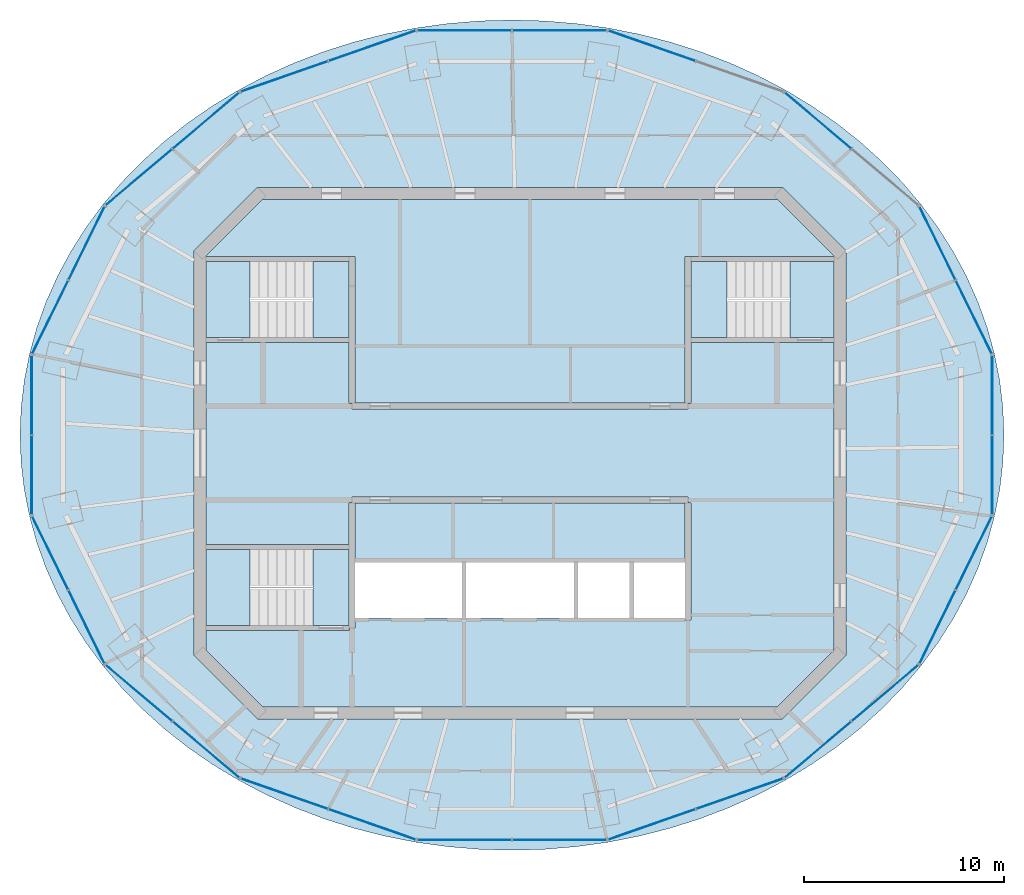
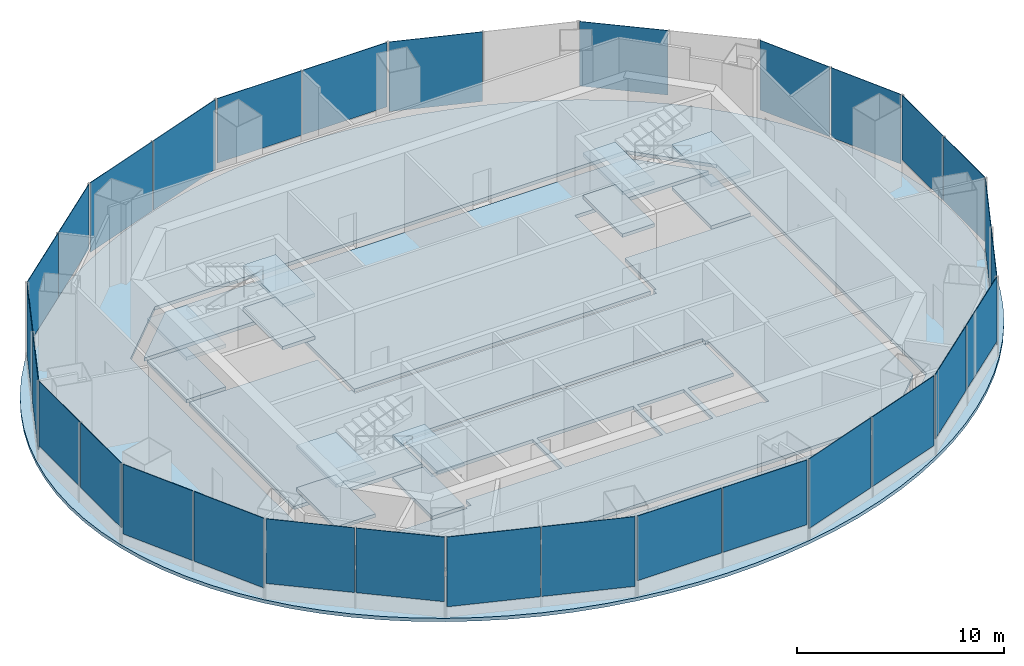
# One storey, part 7 of 11: 30 plates, 15 slabs, 19 elements without a shape of their own.
"""IFC4 building model written with IfcOpenShell, lengths in metres."""

from ifc_helpers import new_model, si_unit, direction, frame, origin, origin_2d, place, context, subcontext, project, spatial, polyline, rectangle, outline, extrude, material, layer, layer_set, type_object, element, aggregate, save


model = new_model("IFC4")

# Units and contexts
model_context = context("Model", 3, precision=1e-05, world=origin(), true_north=direction((0.0, 1.0)))
body_context = subcontext(model_context, "Body", "Model", "MODEL_VIEW")
ifc_project = project(units=[si_unit("LENGTHUNIT", "METRE"), si_unit("AREAUNIT", "SQUARE_METRE"), si_unit("VOLUMEUNIT", "CUBIC_METRE"), si_unit("PLANEANGLEUNIT", "RADIAN"), si_unit("MASSUNIT", "GRAM", prefix="KILO")], contexts=[model_context])

# Site, building, storey
site_placement = place(None, origin())
site = spatial("IfcSite", under=ifc_project, at=site_placement, CompositionType="ELEMENT")
building_placement = place(site_placement, origin())
building = spatial("IfcBuilding", under=site, at=building_placement, Name="Marenthal Gate Tower", CompositionType="ELEMENT")
storey_placement = place(building_placement, frame((0.0, 0.0, 418.550048828125)))
storey = spatial("IfcBuildingStorey", under=building, at=storey_placement, Name="L94", CompositionType="ELEMENT", Elevation=418.550048828125)

# Slabs
ifc_material_1 = material(Name="Concrete 50 MPa", Category="concrete")
ifc_layer_1 = layer(ifc_material_1, 0.199951171875)
ifc_layer_set_1 = layer_set([ifc_layer_1], Name="Core floor slab 200")
slab_type_1 = type_object("IfcSlabType", Name="Core floor slab 200", PredefinedType="FLOOR", material=ifc_layer_set_1)
slab_1_placement = place(storey_placement, frame((0.0, 0.0, -0.199951171875)))
element("IfcSlab", 1, at=slab_1_placement, inside=storey, type_object=slab_type_1, Name="Core floor L94", PredefinedType="FLOOR", context=body_context, shape_type="SweptSolid", body=[
    extrude(outline(polyline([(12.875732421875, -12.699951171875), (-12.875732421875, -12.699951171875), (-15.699951171875, -9.875732421875), (-15.699951171875, -8.875), (-8.550048828125, -8.875), (-8.550048828125, -8.75), (-8.25, -8.75), (-8.25, -8.239990234375), (-5.60009765625, -8.239990234375), (-2.909912109375, -8.239990234375), (-2.909912109375, -5.4599609375), (-5.60009765625, -5.4599609375), (-8.25, -5.4599609375), (-8.25, -2.5), (8.25, -2.5), (8.25, -5.4599609375), (5.7099609375, -5.4599609375), (5.7099609375, -8.239990234375), (8.25, -8.239990234375), (8.25, -8.35009765625), (8.550048828125, -8.35009765625), (8.550048828125, -2.5), (8.39990234375, -2.5), (8.39990234375, -2.199951171875), (-8.39990234375, -2.199951171875), (-8.39990234375, -2.5), (-8.550048828125, -2.5), (-8.550048828125, -4.574951171875), (-15.699951171875, -4.574951171875), (-15.699951171875, 5.52490234375), (-8.550048828125, 5.52490234375), (-8.550048828125, 2.5), (-8.39990234375, 2.5), (-8.39990234375, 2.199951171875), (8.39990234375, 2.199951171875), (8.39990234375, 2.5), (8.550048828125, 2.5), (8.550048828125, 5.52490234375), (15.699951171875, 5.52490234375), (15.699951171875, -9.875732421875), (12.875732421875, -12.699951171875)]), holes=[polyline([(0.0, -8.239990234375), (2.68994140625, -8.239990234375), (2.68994140625, -5.4599609375), (0.0, -5.4599609375), (-2.68994140625, -5.4599609375), (-2.68994140625, -8.239990234375), (0.0, -8.239990234375)]), polyline([(2.909912109375, -5.4599609375), (2.909912109375, -8.239990234375), (5.489990234375, -8.239990234375), (5.489990234375, -5.4599609375), (2.909912109375, -5.4599609375)])]), origin(), (0.0, 0.0, 1.0), 0.199951171875),
])
slab_2_placement = place(storey_placement, frame((0.0, 0.0, -0.199951171875)))
element("IfcSlab", 2, at=slab_2_placement, inside=storey, type_object=slab_type_1, Name="Core floor L94", PredefinedType="FLOOR", context=body_context, shape_type="SweptSolid", body=[
    extrude(outline(polyline([(15.699951171875, 5.77490234375), (13.5, 5.77490234375), (13.5, 9.574951171875), (15.699951171875, 9.574951171875), (15.699951171875, 5.77490234375)])), origin(), (0.0, 0.0, 1.0), 0.199951171875),
])
slab_3_placement = place(storey_placement, frame((0.0, 0.0, -0.199951171875)))
element("IfcSlab", 3, at=slab_3_placement, inside=storey, type_object=slab_type_1, Name="Core floor L94", PredefinedType="FLOOR", context=body_context, shape_type="SweptSolid", body=[
    extrude(outline(polyline([(15.699951171875, 9.824951171875), (8.550048828125, 9.824951171875), (8.25, 9.824951171875), (8.25, 8.35009765625), (8.25, 2.5), (-8.25, 2.5), (-8.25, 8.35009765625), (-8.25, 9.824951171875), (-8.550048828125, 9.824951171875), (-15.699951171875, 9.824951171875), (-15.699951171875, 9.875732421875), (-12.875732421875, 12.699951171875), (12.875732421875, 12.699951171875), (15.699951171875, 9.875732421875), (15.699951171875, 9.824951171875)])), origin(), (0.0, 0.0, 1.0), 0.199951171875),
])
slab_4_placement = place(storey_placement, frame((0.0, 0.0, -0.199951171875)))
element("IfcSlab", 4, at=slab_4_placement, inside=storey, type_object=slab_type_1, Name="Core floor L94", PredefinedType="FLOOR", context=body_context, shape_type="SweptSolid", body=[
    extrude(outline(polyline([(-15.699951171875, 9.574951171875), (-13.5, 9.574951171875), (-13.5, 5.77490234375), (-15.699951171875, 5.77490234375), (-15.699951171875, 9.574951171875)])), origin(), (0.0, 0.0, 1.0), 0.199951171875),
])
slab_5_placement = place(storey_placement, frame((0.0, 0.0, -0.199951171875)))
element("IfcSlab", 5, at=slab_5_placement, inside=storey, type_object=slab_type_1, Name="Core floor L94", PredefinedType="FLOOR", context=body_context, shape_type="SweptSolid", body=[
    extrude(outline(polyline([(-10.35009765625, -8.625), (-10.35009765625, -4.824951171875), (-8.550048828125, -4.824951171875), (-8.550048828125, -8.625), (-10.35009765625, -8.625)])), origin(), (0.0, 0.0, 1.0), 0.199951171875),
])

# Curtain wall, plate
ifc_material_2 = material(Name="Aluminium and glass", Category="aluminium")
curtain_wall_type_1 = type_object("IfcCurtainWallType", Name="Curtain wall typical high", PredefinedType="NOTDEFINED", material=ifc_material_2)
curtain_wall_1_placement = place(storey_placement, origin())
curtain_wall_1 = element("IfcCurtainWall", 6, at=curtain_wall_1_placement, inside=storey, type_object=curtain_wall_type_1, Name="Curtain wall L94 bay 2", PredefinedType="NOTDEFINED")
ifc_material_3 = material(Name="Glass, laminated insulating unit", Category="glass")
ifc_layer_2 = layer(ifc_material_3, 0.031982421875)
ifc_layer_set_2 = layer_set([ifc_layer_2], Name="Glass panel 32 typical high")
plate_type_1 = type_object("IfcPlateType", Name="Glass panel 32 typical high", PredefinedType="CURTAIN_PANEL", material=ifc_layer_set_2)
plate_1_placement = place(storey_placement, frame((14.90966796875, 16.635009765625, 0.89990234375), z_axis=(0.0, 0.0, 1.0), x_axis=(-0.76457840185, 0.644530734274, 0.0)))
plate_1 = element("IfcPlate", 7, at=plate_1_placement, type_object=plate_type_1, Name="Glass panel L94 bay 2.2", PredefinedType="CURTAIN_PANEL", context=body_context, shape_type="SweptSolid", body=[
    extrude(rectangle(XDim=4.32958984375, YDim=0.031982421875, at=origin_2d()), origin(), (0.0, 0.0, 1.0), 3.800048828125),
])
aggregate(curtain_wall_1, [plate_1])

# Curtain wall, plates
curtain_wall_2_placement = place(storey_placement, origin())
curtain_wall_2 = element("IfcCurtainWall", 8, at=curtain_wall_2_placement, inside=storey, type_object=curtain_wall_type_1, Name="Curtain wall L94 bay 4", PredefinedType="NOTDEFINED")
plate_2_placement = place(storey_placement, frame((1.974365234375, 21.152099609375, 0.89990234375), z_axis=(0.0, 0.0, 1.0), x_axis=(-1.0, 0.0, 0.0)))
plate_2 = element("IfcPlate", 9, at=plate_2_placement, type_object=plate_type_1, Name="Glass panel L94 bay 4.1", PredefinedType="CURTAIN_PANEL", context=body_context, shape_type="SweptSolid", body=[
    extrude(rectangle(XDim=4.688720703125, YDim=0.031982421875, at=origin_2d()), origin(), (0.0, 0.0, 1.0), 3.800048828125),
])
plate_3_placement = place(storey_placement, frame((-2.7744140625, 21.152099609375, 0.89990234375), z_axis=(0.0, 0.0, 1.0), x_axis=(-1.0, 0.0, 0.0)))
plate_3 = element("IfcPlate", 10, at=plate_3_placement, type_object=plate_type_1, Name="Glass panel L94 bay 4.2", PredefinedType="CURTAIN_PANEL", context=body_context, shape_type="SweptSolid", body=[
    extrude(rectangle(XDim=4.688720703125, YDim=0.031982421875, at=origin_2d()), origin(), (0.0, 0.0, 1.0), 3.800048828125),
])
aggregate(curtain_wall_2, [plate_2, plate_3])

curtain_wall_3_placement = place(storey_placement, origin())
curtain_wall_3 = element("IfcCurtainWall", 11, at=curtain_wall_3_placement, inside=storey, type_object=curtain_wall_type_1, Name="Curtain wall L94 bay 6", PredefinedType="NOTDEFINED")
plate_4_placement = place(storey_placement, frame((-15.709716796875, 16.635009765625, 0.89990234375), z_axis=(0.0, 0.0, 1.0), x_axis=(-0.76457840185, -0.644530734274, 0.0)))
plate_4 = element("IfcPlate", 12, at=plate_4_placement, type_object=plate_type_1, Name="Glass panel L94 bay 6.1", PredefinedType="CURTAIN_PANEL", context=body_context, shape_type="SweptSolid", body=[
    extrude(rectangle(XDim=4.32958984375, YDim=0.031982421875, at=origin_2d()), origin(), (0.0, 0.0, 1.0), 3.800048828125),
])
plate_5_placement = place(storey_placement, frame((-19.06591796875, 13.805908203125, 0.89990234375), z_axis=(0.0, 0.0, 1.0), x_axis=(-0.76457840185, -0.644530734274, 0.0)))
plate_5 = element("IfcPlate", 13, at=plate_5_placement, type_object=plate_type_1, Name="Glass panel L94 bay 6.2", PredefinedType="CURTAIN_PANEL", context=body_context, shape_type="SweptSolid", body=[
    extrude(rectangle(XDim=4.32958984375, YDim=0.031982421875, at=origin_2d()), origin(), (0.0, 0.0, 1.0), 3.800048828125),
])
aggregate(curtain_wall_3, [plate_4, plate_5])

curtain_wall_4_placement = place(storey_placement, origin())
curtain_wall_4 = element("IfcCurtainWall", 14, at=curtain_wall_4_placement, inside=storey, type_object=curtain_wall_type_1, Name="Curtain wall L94 bay 8", PredefinedType="NOTDEFINED")
plate_6_placement = place(storey_placement, frame((-24.42431640625, 2.899169921875, 0.89990234375), z_axis=(0.0, 0.0, 1.0), x_axis=(0.0, -1.0, 0.0)))
plate_6 = element("IfcPlate", 15, at=plate_6_placement, type_object=plate_type_1, Name="Glass panel L94 bay 8.1", PredefinedType="CURTAIN_PANEL", context=body_context, shape_type="SweptSolid", body=[
    extrude(rectangle(XDim=3.9384765625, YDim=0.031982421875, at=origin_2d()), origin(), (0.0, 0.0, 1.0), 3.800048828125),
])
plate_7_placement = place(storey_placement, frame((-24.42431640625, -1.09912109375, 0.89990234375), z_axis=(0.0, 0.0, 1.0), x_axis=(0.0, -1.0, 0.0)))
plate_7 = element("IfcPlate", 16, at=plate_7_placement, type_object=plate_type_1, Name="Glass panel L94 bay 8.2", PredefinedType="CURTAIN_PANEL", context=body_context, shape_type="SweptSolid", body=[
    extrude(rectangle(XDim=3.9384765625, YDim=0.031982421875, at=origin_2d()), origin(), (0.0, 0.0, 1.0), 3.800048828125),
])
aggregate(curtain_wall_4, [plate_6, plate_7])

curtain_wall_5_placement = place(storey_placement, origin())
curtain_wall_5 = element("IfcCurtainWall", 17, at=curtain_wall_5_placement, inside=storey, type_object=curtain_wall_type_1, Name="Curtain wall L94 bay 10", PredefinedType="NOTDEFINED")
plate_8_placement = place(storey_placement, frame((-19.06591796875, -12.005859375, 0.89990234375), z_axis=(0.0, 0.0, 1.0), x_axis=(0.76457840185, -0.644530734274, 0.0)))
plate_8 = element("IfcPlate", 18, at=plate_8_placement, type_object=plate_type_1, Name="Glass panel L94 bay 10.1", PredefinedType="CURTAIN_PANEL", context=body_context, shape_type="SweptSolid", body=[
    extrude(rectangle(XDim=4.32958984375, YDim=0.031982421875, at=origin_2d()), origin(), (0.0, 0.0, 1.0), 3.800048828125),
])
plate_9_placement = place(storey_placement, frame((-15.709716796875, -14.835205078125, 0.89990234375), z_axis=(0.0, 0.0, 1.0), x_axis=(0.76457840185, -0.644530734274, 0.0)))
plate_9 = element("IfcPlate", 19, at=plate_9_placement, type_object=plate_type_1, Name="Glass panel L94 bay 10.2", PredefinedType="CURTAIN_PANEL", context=body_context, shape_type="SweptSolid", body=[
    extrude(rectangle(XDim=4.32958984375, YDim=0.031982421875, at=origin_2d()), origin(), (0.0, 0.0, 1.0), 3.800048828125),
])
aggregate(curtain_wall_5, [plate_8, plate_9])

curtain_wall_6_placement = place(storey_placement, origin())
curtain_wall_6 = element("IfcCurtainWall", 20, at=curtain_wall_6_placement, inside=storey, type_object=curtain_wall_type_1, Name="Curtain wall L94 bay 12", PredefinedType="NOTDEFINED")
plate_10_placement = place(storey_placement, frame((-2.7744140625, -19.352294921875, 0.89990234375), z_axis=(0.0, 0.0, 1.0), x_axis=(1.0, 0.0, 0.0)))
plate_10 = element("IfcPlate", 21, at=plate_10_placement, type_object=plate_type_1, Name="Glass panel L94 bay 12.1", PredefinedType="CURTAIN_PANEL", context=body_context, shape_type="SweptSolid", body=[
    extrude(rectangle(XDim=4.688720703125, YDim=0.031982421875, at=origin_2d()), origin(), (0.0, 0.0, 1.0), 3.800048828125),
])
plate_11_placement = place(storey_placement, frame((1.974365234375, -19.352294921875, 0.89990234375), z_axis=(0.0, 0.0, 1.0), x_axis=(1.0, 0.0, 0.0)))
plate_11 = element("IfcPlate", 22, at=plate_11_placement, type_object=plate_type_1, Name="Glass panel L94 bay 12.2", PredefinedType="CURTAIN_PANEL", context=body_context, shape_type="SweptSolid", body=[
    extrude(rectangle(XDim=4.688720703125, YDim=0.031982421875, at=origin_2d()), origin(), (0.0, 0.0, 1.0), 3.800048828125),
])
aggregate(curtain_wall_6, [plate_10, plate_11])

curtain_wall_7_placement = place(storey_placement, origin())
curtain_wall_7 = element("IfcCurtainWall", 23, at=curtain_wall_7_placement, inside=storey, type_object=curtain_wall_type_1, Name="Curtain wall L94 bay 14", PredefinedType="NOTDEFINED")
plate_12_placement = place(storey_placement, frame((14.90966796875, -14.8349609375, 0.89990234375), z_axis=(0.0, 0.0, 1.0), x_axis=(0.76457840185, 0.644530734274, 0.0)))
plate_12 = element("IfcPlate", 24, at=plate_12_placement, type_object=plate_type_1, Name="Glass panel L94 bay 14.1", PredefinedType="CURTAIN_PANEL", context=body_context, shape_type="SweptSolid", body=[
    extrude(rectangle(XDim=4.32958984375, YDim=0.031982421875, at=origin_2d()), origin(), (0.0, 0.0, 1.0), 3.800048828125),
])
plate_13_placement = place(storey_placement, frame((18.265869140625, -12.005859375, 0.89990234375), z_axis=(0.0, 0.0, 1.0), x_axis=(0.76457840185, 0.644530734274, 0.0)))
plate_13 = element("IfcPlate", 25, at=plate_13_placement, type_object=plate_type_1, Name="Glass panel L94 bay 14.2", PredefinedType="CURTAIN_PANEL", context=body_context, shape_type="SweptSolid", body=[
    extrude(rectangle(XDim=4.32958984375, YDim=0.031982421875, at=origin_2d()), origin(), (0.0, 0.0, 1.0), 3.800048828125),
])
aggregate(curtain_wall_7, [plate_12, plate_13])

curtain_wall_8_placement = place(storey_placement, origin())
curtain_wall_8 = element("IfcCurtainWall", 26, at=curtain_wall_8_placement, inside=storey, type_object=curtain_wall_type_1, Name="Curtain wall L94 bay 16", PredefinedType="NOTDEFINED")
plate_14_placement = place(storey_placement, frame((23.624267578125, -1.09912109375, 0.89990234375), z_axis=(0.0, 0.0, 1.0), x_axis=(0.0, 1.0, 0.0)))
plate_14 = element("IfcPlate", 27, at=plate_14_placement, type_object=plate_type_1, Name="Glass panel L94 bay 16.1", PredefinedType="CURTAIN_PANEL", context=body_context, shape_type="SweptSolid", body=[
    extrude(rectangle(XDim=3.9384765625, YDim=0.031982421875, at=origin_2d()), origin(), (0.0, 0.0, 1.0), 3.800048828125),
])
plate_15_placement = place(storey_placement, frame((23.624267578125, 2.899169921875, 0.89990234375), z_axis=(0.0, 0.0, 1.0), x_axis=(0.0, 1.0, 0.0)))
plate_15 = element("IfcPlate", 28, at=plate_15_placement, type_object=plate_type_1, Name="Glass panel L94 bay 16.2", PredefinedType="CURTAIN_PANEL", context=body_context, shape_type="SweptSolid", body=[
    extrude(rectangle(XDim=3.9384765625, YDim=0.031982421875, at=origin_2d()), origin(), (0.0, 0.0, 1.0), 3.800048828125),
])
aggregate(curtain_wall_8, [plate_14, plate_15])

# Slab
ifc_material_4 = material(Name="Concrete 35 MPa", Category="concrete")
ifc_layer_3 = layer(ifc_material_4, 0.199951171875)
ifc_layer_set_3 = layer_set([ifc_layer_3], Name="Plant floor slab 200")
slab_type_2 = type_object("IfcSlabType", Name="Plant floor slab 200", PredefinedType="FLOOR", material=ifc_layer_set_3)
slab_6_placement = place(storey_placement, frame((0.0, 0.0, -0.199951171875)))
element("IfcSlab", 29, at=slab_6_placement, inside=storey, type_object=slab_type_2, Name="SL-L94-01", PredefinedType="FLOOR", context=body_context, shape_type="SweptSolid", body=[
    extrude(outline(polyline([(24.215087890625, 0.89990234375), (24.162353515625, 2.25830078125), (24.00439453125, 3.61083984375), (23.741943359375, 4.951904296875), (23.376220703125, 6.275390625), (22.90869140625, 7.575927734375), (22.34130859375, 8.847900390625), (21.676513671875, 10.0859375), (20.917236328125, 11.284423828125), (20.066650390625, 12.438720703125), (19.12841796875, 13.54345703125), (18.1064453125, 14.593994140625), (17.00537109375, 15.5859375), (15.829833984375, 16.514892578125), (14.584716796875, 17.377197265625), (13.275390625, 18.168701171875), (11.907470703125, 18.886474609375), (10.48681640625, 19.527099609375), (9.019775390625, 20.088134765625), (7.51220703125, 20.56689453125), (5.970703125, 20.961181640625), (4.402099609375, 21.27001953125), (2.81298828125, 21.4912109375), (1.2099609375, 21.62451171875), (-0.39990234375, 21.6689453125), (-2.010009765625, 21.62451171875), (-3.61279296875, 21.4912109375), (-5.2021484375, 21.27001953125), (-6.770751953125, 20.961181640625), (-8.312255859375, 20.56689453125), (-9.81982421875, 20.088134765625), (-11.286865234375, 19.527099609375), (-12.70751953125, 18.886474609375), (-14.075439453125, 18.168701171875), (-15.384765625, 17.377197265625), (-16.6298828125, 16.514892578125), (-17.805419921875, 15.5859375), (-18.906494140625, 14.593994140625), (-19.928466796875, 13.54345703125), (-20.86669921875, 12.438720703125), (-21.71728515625, 11.284423828125), (-22.4765625, 10.0859375), (-23.141357421875, 8.847900390625), (-23.708740234375, 7.575927734375), (-24.17626953125, 6.275390625), (-24.5419921875, 4.951904296875), (-24.804443359375, 3.61083984375), (-24.96240234375, 2.25830078125), (-25.014892578125, 0.89990234375), (-24.96240234375, -0.45849609375), (-24.804443359375, -1.810791015625), (-24.5419921875, -3.15185546875), (-24.17626953125, -4.475341796875), (-23.708740234375, -5.77587890625), (-23.141357421875, -7.048095703125), (-22.4765625, -8.285888671875), (-21.71728515625, -9.484619140625), (-20.86669921875, -10.638671875), (-19.928466796875, -11.743408203125), (-18.906494140625, -12.7939453125), (-17.805419921875, -13.785888671875), (-16.6298828125, -14.715087890625), (-15.384765625, -15.5771484375), (-14.075439453125, -16.368896484375), (-12.70751953125, -17.08642578125), (-11.286865234375, -17.72705078125), (-9.81982421875, -18.2880859375), (-8.312255859375, -18.766845703125), (-6.770751953125, -19.161376953125), (-5.2021484375, -19.469970703125), (-3.61279296875, -19.69140625), (-2.010009765625, -19.824462890625), (-0.39990234375, -19.868896484375), (1.2099609375, -19.824462890625), (2.81298828125, -19.69140625), (4.402099609375, -19.469970703125), (5.970703125, -19.161376953125), (7.51220703125, -18.766845703125), (9.019775390625, -18.2880859375), (10.48681640625, -17.72705078125), (11.907470703125, -17.08642578125), (13.275390625, -16.368896484375), (14.584716796875, -15.5771484375), (15.829833984375, -14.715087890625), (17.00537109375, -13.785888671875), (18.1064453125, -12.7939453125), (19.12841796875, -11.743408203125), (20.066650390625, -10.638671875), (20.917236328125, -9.484619140625), (21.676513671875, -8.285888671875), (22.34130859375, -7.048095703125), (22.90869140625, -5.77587890625), (23.376220703125, -4.475341796875), (23.741943359375, -3.15185546875), (24.00439453125, -1.810791015625), (24.162353515625, -0.45849609375), (24.215087890625, 0.89990234375)]), holes=[polyline([(13.124267578125, -13.300048828125), (16.300048828125, -10.124267578125), (16.300048828125, 10.124267578125), (13.124267578125, 13.300048828125), (-13.124267578125, 13.300048828125), (-16.300048828125, 10.124267578125), (-16.300048828125, -10.124267578125), (-13.124267578125, -13.300048828125), (13.124267578125, -13.300048828125)])]), origin(), (0.0, 0.0, 1.0), 0.199951171875),
])

# Stair, slabs
ifc_material_5 = material(Name="Concrete 40 MPa", Category="concrete")
stair_type = type_object("IfcStairType", Name="Exit stair 1800", PredefinedType="HALF_TURN_STAIR", material=ifc_material_5)
stair_1_placement = place(storey_placement, origin())
stair_1 = element("IfcStair", 30, at=stair_1_placement, inside=storey, type_object=stair_type, Name="Stair ST1", PredefinedType="HALF_TURN_STAIR")
ifc_material_6 = material(Name="Concrete 40 MPa", Category="concrete")
ifc_layer_4 = layer(ifc_material_6, 0.199951171875)
ifc_layer_set_4 = layer_set([ifc_layer_4], Name="Stair landing 200")
slab_type_3 = type_object("IfcSlabType", Name="Stair landing 200", PredefinedType="LANDING", material=ifc_layer_set_4)
slab_7_placement = place(storey_placement, frame((0.0, 0.0, 1.050048828125)))
slab_7 = element("IfcSlab", 31, at=slab_7_placement, type_object=slab_type_3, Name="ST1 landing 1", PredefinedType="LANDING", context=body_context, shape_type="SweptSolid", body=[
    extrude(outline(polyline([(-10.35009765625, 5.77490234375), (-8.550048828125, 5.77490234375), (-8.550048828125, 9.574951171875), (-10.35009765625, 9.574951171875), (-10.35009765625, 5.77490234375)])), origin(), (0.0, 0.0, 1.0), 0.199951171875),
])
slab_8_placement = place(storey_placement, frame((0.0, 0.0, 2.300048828125)))
slab_8 = element("IfcSlab", 32, at=slab_8_placement, type_object=slab_type_3, Name="ST1 landing 2", PredefinedType="LANDING", context=body_context, shape_type="SweptSolid", body=[
    extrude(outline(polyline([(-15.699951171875, 5.77490234375), (-13.5, 5.77490234375), (-13.5, 9.574951171875), (-15.699951171875, 9.574951171875), (-15.699951171875, 5.77490234375)])), origin(), (0.0, 0.0, 1.0), 0.199951171875),
])
slab_9_placement = place(storey_placement, frame((0.0, 0.0, 3.550048828125)))
slab_9 = element("IfcSlab", 33, at=slab_9_placement, type_object=slab_type_3, Name="ST1 landing 3", PredefinedType="LANDING", context=body_context, shape_type="SweptSolid", body=[
    extrude(outline(polyline([(-10.35009765625, 5.77490234375), (-8.550048828125, 5.77490234375), (-8.550048828125, 9.574951171875), (-10.35009765625, 9.574951171875), (-10.35009765625, 5.77490234375)])), origin(), (0.0, 0.0, 1.0), 0.199951171875),
])
aggregate(stair_1, [slab_7, slab_8, slab_9])

stair_2_placement = place(storey_placement, origin())
stair_2 = element("IfcStair", 34, at=stair_2_placement, inside=storey, type_object=stair_type, Name="Stair ST2", PredefinedType="HALF_TURN_STAIR")
slab_10_placement = place(storey_placement, frame((0.0, 0.0, 1.050048828125)))
slab_10 = element("IfcSlab", 35, at=slab_10_placement, type_object=slab_type_3, Name="ST2 landing 1", PredefinedType="LANDING", context=body_context, shape_type="SweptSolid", body=[
    extrude(outline(polyline([(-15.699951171875, -8.625), (-13.5, -8.625), (-13.5, -4.824951171875), (-15.699951171875, -4.824951171875), (-15.699951171875, -8.625)])), origin(), (0.0, 0.0, 1.0), 0.199951171875),
])
slab_11_placement = place(storey_placement, frame((0.0, 0.0, 2.300048828125)))
slab_11 = element("IfcSlab", 36, at=slab_11_placement, type_object=slab_type_3, Name="ST2 landing 2", PredefinedType="LANDING", context=body_context, shape_type="SweptSolid", body=[
    extrude(outline(polyline([(-10.35009765625, -8.625), (-8.550048828125, -8.625), (-8.550048828125, -4.824951171875), (-10.35009765625, -4.824951171875), (-10.35009765625, -8.625)])), origin(), (0.0, 0.0, 1.0), 0.199951171875),
])
slab_12_placement = place(storey_placement, frame((0.0, 0.0, 3.550048828125)))
slab_12 = element("IfcSlab", 37, at=slab_12_placement, type_object=slab_type_3, Name="ST2 landing 3", PredefinedType="LANDING", context=body_context, shape_type="SweptSolid", body=[
    extrude(outline(polyline([(-15.699951171875, -8.625), (-13.5, -8.625), (-13.5, -4.824951171875), (-15.699951171875, -4.824951171875), (-15.699951171875, -8.625)])), origin(), (0.0, 0.0, 1.0), 0.199951171875),
])
aggregate(stair_2, [slab_10, slab_11, slab_12])

stair_3_placement = place(storey_placement, origin())
stair_3 = element("IfcStair", 38, at=stair_3_placement, inside=storey, type_object=stair_type, Name="Stair ST3", PredefinedType="HALF_TURN_STAIR")
slab_13_placement = place(storey_placement, frame((0.0, 0.0, 1.050048828125)))
slab_13 = element("IfcSlab", 39, at=slab_13_placement, type_object=slab_type_3, Name="ST3 landing 1", PredefinedType="LANDING", context=body_context, shape_type="SweptSolid", body=[
    extrude(outline(polyline([(8.550048828125, 5.77490234375), (10.35009765625, 5.77490234375), (10.35009765625, 9.574951171875), (8.550048828125, 9.574951171875), (8.550048828125, 5.77490234375)])), origin(), (0.0, 0.0, 1.0), 0.199951171875),
])
slab_14_placement = place(storey_placement, frame((0.0, 0.0, 2.300048828125)))
slab_14 = element("IfcSlab", 40, at=slab_14_placement, type_object=slab_type_3, Name="ST3 landing 2", PredefinedType="LANDING", context=body_context, shape_type="SweptSolid", body=[
    extrude(outline(polyline([(13.5, 5.77490234375), (15.699951171875, 5.77490234375), (15.699951171875, 9.574951171875), (13.5, 9.574951171875), (13.5, 5.77490234375)])), origin(), (0.0, 0.0, 1.0), 0.199951171875),
])
slab_15_placement = place(storey_placement, frame((0.0, 0.0, 3.550048828125)))
slab_15 = element("IfcSlab", 41, at=slab_15_placement, type_object=slab_type_3, Name="ST3 landing 3", PredefinedType="LANDING", context=body_context, shape_type="SweptSolid", body=[
    extrude(outline(polyline([(8.550048828125, 5.77490234375), (10.35009765625, 5.77490234375), (10.35009765625, 9.574951171875), (8.550048828125, 9.574951171875), (8.550048828125, 5.77490234375)])), origin(), (0.0, 0.0, 1.0), 0.199951171875),
])
aggregate(stair_3, [slab_13, slab_14, slab_15])

# Curtain wall, plates
ifc_material_7 = material(Name="Aluminium and glass", Category="aluminium")
curtain_wall_type_2 = type_object("IfcCurtainWallType", Name="Curtain wall crown clad", PredefinedType="NOTDEFINED", material=ifc_material_7)
curtain_wall_9_placement = place(storey_placement, origin())
curtain_wall_9 = element("IfcCurtainWall", 42, at=curtain_wall_9_placement, inside=storey, type_object=curtain_wall_type_2, Name="Curtain wall L94 bay 1", PredefinedType="NOTDEFINED")
ifc_material_8 = material(Name="Terracotta cladding panel", Category="masonry")
ifc_layer_5 = layer(ifc_material_8, 0.031982421875)
ifc_layer_set_5 = layer_set([ifc_layer_5], Name="Terracotta panel 32 crown clad")
plate_type_2 = type_object("IfcPlateType", Name="Terracotta panel 32 crown clad", PredefinedType="CURTAIN_PANEL", material=ifc_layer_set_5)
plate_16_placement = place(storey_placement, frame((22.703369140625, 6.802734375, 0.599853515625), z_axis=(0.0, 0.0, 1.0), x_axis=(-0.441000500973, 0.897506856877, 0.0)))
plate_16 = element("IfcPlate", 43, at=plate_16_placement, type_object=plate_type_2, Name="Terracotta panel L94 bay 1.1", PredefinedType="CURTAIN_PANEL", context=body_context, shape_type="SweptSolid", body=[
    extrude(rectangle(XDim=4.056884765625, YDim=0.031982421875, at=origin_2d()), origin(), (0.0, 0.0, 1.0), 4.10009765625),
])
plate_17_placement = place(storey_placement, frame((20.8876953125, 10.49755859375, 0.599853515625), z_axis=(0.0, 0.0, 1.0), x_axis=(-0.441000500973, 0.897506856877, 0.0)))
plate_17 = element("IfcPlate", 44, at=plate_17_placement, type_object=plate_type_2, Name="Terracotta panel L94 bay 1.2", PredefinedType="CURTAIN_PANEL", context=body_context, shape_type="SweptSolid", body=[
    extrude(rectangle(XDim=4.056884765625, YDim=0.031982421875, at=origin_2d()), origin(), (0.0, 0.0, 1.0), 4.10009765625),
])
aggregate(curtain_wall_9, [plate_16, plate_17])

# Curtain wall, plate
curtain_wall_10_placement = place(storey_placement, origin())
curtain_wall_10 = element("IfcCurtainWall", 45, at=curtain_wall_10_placement, inside=storey, type_object=curtain_wall_type_2, Name="Curtain wall L94 bay 3", PredefinedType="NOTDEFINED")
plate_18_placement = place(storey_placement, frame((6.600341796875, 20.37646484375, 0.599853515625), z_axis=(0.0, 0.0, 1.0), x_axis=(-0.944101467707, 0.329654999466, 0.0)))
plate_18 = element("IfcPlate", 46, at=plate_18_placement, type_object=plate_type_2, Name="Terracotta panel L94 bay 3.2", PredefinedType="CURTAIN_PANEL", context=body_context, shape_type="SweptSolid", body=[
    extrude(rectangle(XDim=4.58642578125, YDim=0.031982421875, at=origin_2d()), origin(), (0.0, 0.0, 1.0), 4.10009765625),
])
aggregate(curtain_wall_10, [plate_18])

# Curtain wall, plates
curtain_wall_11_placement = place(storey_placement, origin())
curtain_wall_11 = element("IfcCurtainWall", 47, at=curtain_wall_11_placement, inside=storey, type_object=curtain_wall_type_2, Name="Curtain wall L94 bay 5", PredefinedType="NOTDEFINED")
plate_19_placement = place(storey_placement, frame((-7.400390625, 20.37646484375, 0.599853515625), z_axis=(0.0, 0.0, 1.0), x_axis=(-0.944101467707, -0.329654999466, 0.0)))
plate_19 = element("IfcPlate", 48, at=plate_19_placement, type_object=plate_type_2, Name="Terracotta panel L94 bay 5.1", PredefinedType="CURTAIN_PANEL", context=body_context, shape_type="SweptSolid", body=[
    extrude(rectangle(XDim=4.58642578125, YDim=0.031982421875, at=origin_2d()), origin(), (0.0, 0.0, 1.0), 4.10009765625),
])
plate_20_placement = place(storey_placement, frame((-11.787109375, 18.8447265625, 0.599853515625), z_axis=(0.0, 0.0, 1.0), x_axis=(-0.944101467707, -0.329654999466, 0.0)))
plate_20 = element("IfcPlate", 49, at=plate_20_placement, type_object=plate_type_2, Name="Terracotta panel L94 bay 5.2", PredefinedType="CURTAIN_PANEL", context=body_context, shape_type="SweptSolid", body=[
    extrude(rectangle(XDim=4.58642578125, YDim=0.031982421875, at=origin_2d()), origin(), (0.0, 0.0, 1.0), 4.10009765625),
])
aggregate(curtain_wall_11, [plate_19, plate_20])

curtain_wall_12_placement = place(storey_placement, origin())
curtain_wall_12 = element("IfcCurtainWall", 50, at=curtain_wall_12_placement, inside=storey, type_object=curtain_wall_type_2, Name="Curtain wall L94 bay 7", PredefinedType="NOTDEFINED")
plate_21_placement = place(storey_placement, frame((-21.687744140625, 10.49755859375, 0.599853515625), z_axis=(0.0, 0.0, 1.0), x_axis=(-0.441000500973, -0.897506856877, 0.0)))
plate_21 = element("IfcPlate", 51, at=plate_21_placement, type_object=plate_type_2, Name="Terracotta panel L94 bay 7.1", PredefinedType="CURTAIN_PANEL", context=body_context, shape_type="SweptSolid", body=[
    extrude(rectangle(XDim=4.056884765625, YDim=0.031982421875, at=origin_2d()), origin(), (0.0, 0.0, 1.0), 4.10009765625),
])
plate_22_placement = place(storey_placement, frame((-23.50341796875, 6.802734375, 0.599853515625), z_axis=(0.0, 0.0, 1.0), x_axis=(-0.441000500973, -0.897506856877, 0.0)))
plate_22 = element("IfcPlate", 52, at=plate_22_placement, type_object=plate_type_2, Name="Terracotta panel L94 bay 7.2", PredefinedType="CURTAIN_PANEL", context=body_context, shape_type="SweptSolid", body=[
    extrude(rectangle(XDim=4.056884765625, YDim=0.031982421875, at=origin_2d()), origin(), (0.0, 0.0, 1.0), 4.10009765625),
])
aggregate(curtain_wall_12, [plate_21, plate_22])

curtain_wall_13_placement = place(storey_placement, origin())
curtain_wall_13 = element("IfcCurtainWall", 53, at=curtain_wall_13_placement, inside=storey, type_object=curtain_wall_type_2, Name="Curtain wall L94 bay 9", PredefinedType="NOTDEFINED")
plate_23_placement = place(storey_placement, frame((-23.50341796875, -5.002685546875, 0.599853515625), z_axis=(0.0, 0.0, 1.0), x_axis=(0.441000500973, -0.897506856877, 0.0)))
plate_23 = element("IfcPlate", 54, at=plate_23_placement, type_object=plate_type_2, Name="Terracotta panel L94 bay 9.1", PredefinedType="CURTAIN_PANEL", context=body_context, shape_type="SweptSolid", body=[
    extrude(rectangle(XDim=4.056884765625, YDim=0.031982421875, at=origin_2d()), origin(), (0.0, 0.0, 1.0), 4.10009765625),
])
plate_24_placement = place(storey_placement, frame((-21.687744140625, -8.697509765625, 0.599853515625), z_axis=(0.0, 0.0, 1.0), x_axis=(0.441000500973, -0.897506856877, 0.0)))
plate_24 = element("IfcPlate", 55, at=plate_24_placement, type_object=plate_type_2, Name="Terracotta panel L94 bay 9.2", PredefinedType="CURTAIN_PANEL", context=body_context, shape_type="SweptSolid", body=[
    extrude(rectangle(XDim=4.056884765625, YDim=0.031982421875, at=origin_2d()), origin(), (0.0, 0.0, 1.0), 4.10009765625),
])
aggregate(curtain_wall_13, [plate_23, plate_24])

curtain_wall_14_placement = place(storey_placement, origin())
curtain_wall_14 = element("IfcCurtainWall", 56, at=curtain_wall_14_placement, inside=storey, type_object=curtain_wall_type_2, Name="Curtain wall L94 bay 11", PredefinedType="NOTDEFINED")
plate_25_placement = place(storey_placement, frame((-11.787109375, -17.044677734375, 0.599853515625), z_axis=(0.0, 0.0, 1.0), x_axis=(0.944101467707, -0.329654999466, 0.0)))
plate_25 = element("IfcPlate", 57, at=plate_25_placement, type_object=plate_type_2, Name="Terracotta panel L94 bay 11.1", PredefinedType="CURTAIN_PANEL", context=body_context, shape_type="SweptSolid", body=[
    extrude(rectangle(XDim=4.58642578125, YDim=0.031982421875, at=origin_2d()), origin(), (0.0, 0.0, 1.0), 4.10009765625),
])
plate_26_placement = place(storey_placement, frame((-7.400390625, -18.576416015625, 0.599853515625), z_axis=(0.0, 0.0, 1.0), x_axis=(0.944101467707, -0.329654999466, 0.0)))
plate_26 = element("IfcPlate", 58, at=plate_26_placement, type_object=plate_type_2, Name="Terracotta panel L94 bay 11.2", PredefinedType="CURTAIN_PANEL", context=body_context, shape_type="SweptSolid", body=[
    extrude(rectangle(XDim=4.58642578125, YDim=0.031982421875, at=origin_2d()), origin(), (0.0, 0.0, 1.0), 4.10009765625),
])
aggregate(curtain_wall_14, [plate_25, plate_26])

curtain_wall_15_placement = place(storey_placement, origin())
curtain_wall_15 = element("IfcCurtainWall", 59, at=curtain_wall_15_placement, inside=storey, type_object=curtain_wall_type_2, Name="Curtain wall L94 bay 13", PredefinedType="NOTDEFINED")
plate_27_placement = place(storey_placement, frame((6.600341796875, -18.576416015625, 0.599853515625), z_axis=(0.0, 0.0, 1.0), x_axis=(0.944101467707, 0.329654999466, 0.0)))
plate_27 = element("IfcPlate", 60, at=plate_27_placement, type_object=plate_type_2, Name="Terracotta panel L94 bay 13.1", PredefinedType="CURTAIN_PANEL", context=body_context, shape_type="SweptSolid", body=[
    extrude(rectangle(XDim=4.58642578125, YDim=0.031982421875, at=origin_2d()), origin(), (0.0, 0.0, 1.0), 4.10009765625),
])
plate_28_placement = place(storey_placement, frame((10.987060546875, -17.044677734375, 0.599853515625), z_axis=(0.0, 0.0, 1.0), x_axis=(0.944101467707, 0.329654999466, 0.0)))
plate_28 = element("IfcPlate", 61, at=plate_28_placement, type_object=plate_type_2, Name="Terracotta panel L94 bay 13.2", PredefinedType="CURTAIN_PANEL", context=body_context, shape_type="SweptSolid", body=[
    extrude(rectangle(XDim=4.58642578125, YDim=0.031982421875, at=origin_2d()), origin(), (0.0, 0.0, 1.0), 4.10009765625),
])
aggregate(curtain_wall_15, [plate_27, plate_28])

curtain_wall_16_placement = place(storey_placement, origin())
curtain_wall_16 = element("IfcCurtainWall", 62, at=curtain_wall_16_placement, inside=storey, type_object=curtain_wall_type_2, Name="Curtain wall L94 bay 15", PredefinedType="NOTDEFINED")
plate_29_placement = place(storey_placement, frame((20.8876953125, -8.69775390625, 0.599853515625), z_axis=(0.0, 0.0, 1.0), x_axis=(0.441000500973, 0.897506856877, 0.0)))
plate_29 = element("IfcPlate", 63, at=plate_29_placement, type_object=plate_type_2, Name="Terracotta panel L94 bay 15.1", PredefinedType="CURTAIN_PANEL", context=body_context, shape_type="SweptSolid", body=[
    extrude(rectangle(XDim=4.056884765625, YDim=0.031982421875, at=origin_2d()), origin(), (0.0, 0.0, 1.0), 4.10009765625),
])
plate_30_placement = place(storey_placement, frame((22.703369140625, -5.002685546875, 0.599853515625), z_axis=(0.0, 0.0, 1.0), x_axis=(0.441000500973, 0.897506856877, 0.0)))
plate_30 = element("IfcPlate", 64, at=plate_30_placement, type_object=plate_type_2, Name="Terracotta panel L94 bay 15.2", PredefinedType="CURTAIN_PANEL", context=body_context, shape_type="SweptSolid", body=[
    extrude(rectangle(XDim=4.056884765625, YDim=0.031982421875, at=origin_2d()), origin(), (0.0, 0.0, 1.0), 4.10009765625),
])
aggregate(curtain_wall_16, [plate_29, plate_30])

save(model, "model.ifc")
